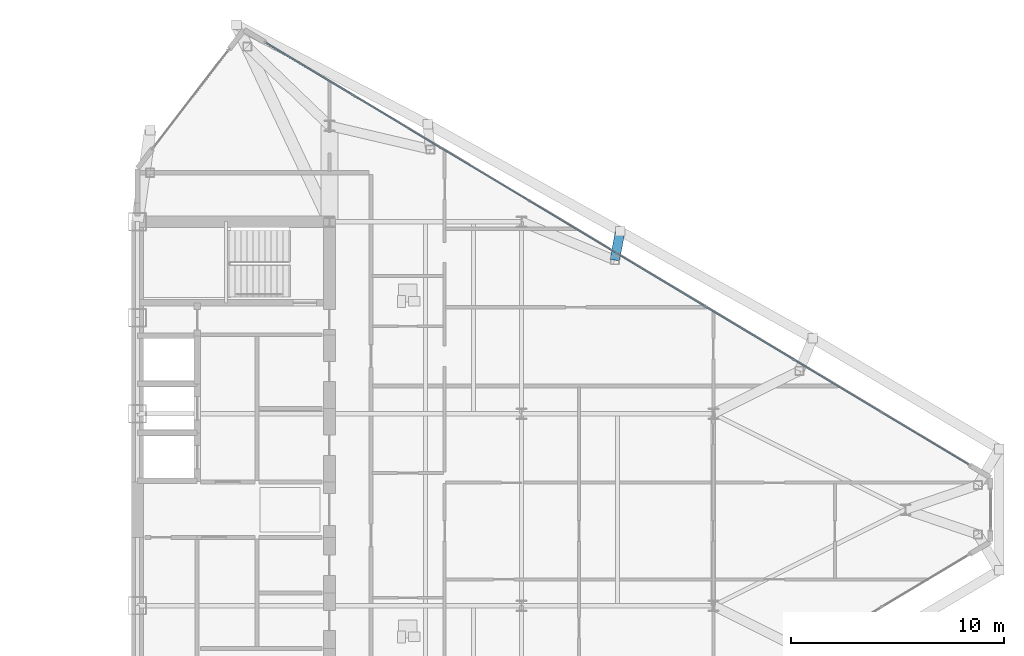
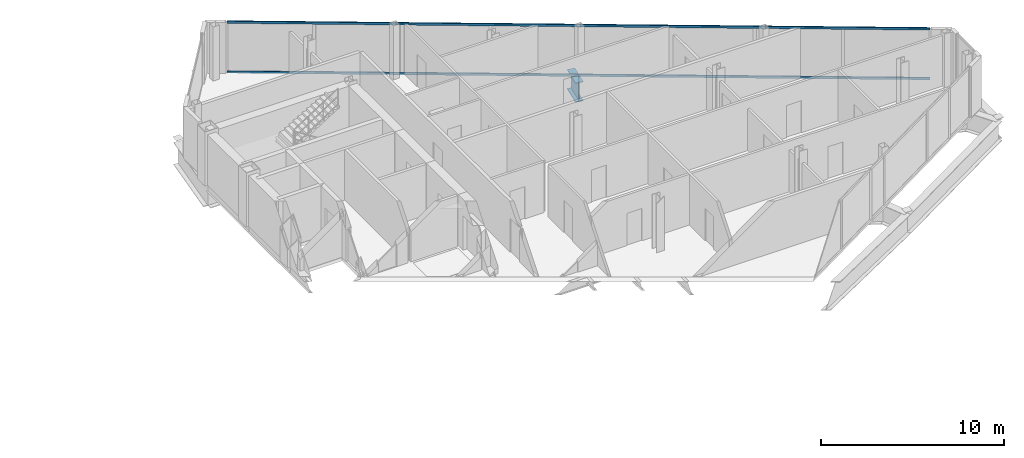
# One storey, part 18 of 29: 2 members, 1 beam, 1 element without a shape of its own.
"""IFC4 building model written with IfcOpenShell, lengths in metres."""

from ifc_helpers import new_model, si_unit, direction, frame, origin, origin_2d, place, context, subcontext, project, spatial, rectangle, i_section, extrude, source, transform, mapped, material, layer, layer_set, material_profile, profile_set, type_object, type_shapes, element, aggregate, save


model = new_model("IFC4")

# Units and contexts
model_context = context("Model", 3, precision=1e-05, world=origin(), true_north=direction((0.0, 1.0)))
body_context = subcontext(model_context, "Body", "Model", "MODEL_VIEW")
ifc_project = project(units=[si_unit("LENGTHUNIT", "METRE"), si_unit("AREAUNIT", "SQUARE_METRE"), si_unit("VOLUMEUNIT", "CUBIC_METRE"), si_unit("PLANEANGLEUNIT", "RADIAN"), si_unit("MASSUNIT", "GRAM", prefix="KILO")], contexts=[model_context])

# Site, building, storey
site_placement = place(None, origin())
site = spatial("IfcSite", under=ifc_project, at=site_placement, CompositionType="ELEMENT")
building_placement = place(site_placement, origin())
building = spatial("IfcBuilding", under=site, at=building_placement, Name="Seokmaru Belvedere", CompositionType="ELEMENT")
storey_placement = place(building_placement, frame((0.0, 0.0, 195.89990234375)))
storey = spatial("IfcBuildingStorey", under=building, at=storey_placement, Name="L52", CompositionType="ELEMENT", Elevation=195.89990234375)

# Beam
ifc_material_1 = material(Name="Steel HSA650 (650 MPa)", Category="steel")
ifc_material_profile_1 = material_profile(ifc_material_1, i_section(OverallWidth=0.449951171875, OverallDepth=1.300048828125, WebThickness=0.02197265625, FlangeThickness=0.0380859375, at=origin_2d()), Name="BH-1300x450x22x38")
ifc_profile_set_1 = profile_set([ifc_material_profile_1], Name="Steel HSA650 (650 MPa)")
beam_type = type_object("IfcBeamType", Name="Observatory Long-Span Roof Girder BH-1300", PredefinedType="BEAM", material=ifc_profile_set_1)
shared_shape_1 = source(origin(), body_context, "Body", "SweptSolid", [
    extrude(i_section(OverallWidth=0.449951171875, OverallDepth=1.300048828125, WebThickness=0.02197265625, FlangeThickness=0.0380859375, at=origin_2d()), origin(), (0.0, 0.0, 1.0), 1.374755859375),
])
type_shapes(beam_type, [shared_shape_1])
beam_placement = place(storey_placement, frame((50.129150390625, 13.051025390625, -0.869873046875), z_axis=(-0.181307058967, -0.983426535319, 0.0), x_axis=(0.983426535319, -0.181307058967, 0.0)))
element("IfcBeam", 1, at=beam_placement, inside=storey, type_object=beam_type, Name="L52 E Flank Setback Step Girder N-2", PredefinedType="BEAM", context=body_context, shape_type="MappedRepresentation", body=[
    mapped(shared_shape_1, transform((0.0, 0.0, 0.0), scale=1.0)),
])

# Curtain wall, members
ifc_material_2 = material(Name="Bronze Triple Insulating Glass", Category="glass")
ifc_layer = layer(ifc_material_2, 0.179931640625)
ifc_layer_set = layer_set([ifc_layer], Name="Bronze Triple Insulating Glass")
curtain_wall_type = type_object("IfcCurtainWallType", Name="High-Rise Wind-Corner Curtain Wall System CW-5", PredefinedType="NOTDEFINED", material=ifc_layer_set)
curtain_wall_placement = place(storey_placement, origin())
curtain_wall = element("IfcCurtainWall", 2, at=curtain_wall_placement, inside=storey, type_object=curtain_wall_type, Name="L52 Curtain Wall EF3", PredefinedType="NOTDEFINED")
ifc_material_3 = material(Name="Anodised Bronze Aluminium", Category="aluminium")
ifc_material_profile_2 = material_profile(ifc_material_3, rectangle(XDim=0.06494140625, YDim=0.14990234375, at=origin_2d()), Name="CW-T-65x150")
ifc_profile_set_2 = profile_set([ifc_material_profile_2], Name="Anodised Bronze Aluminium")
member_type = type_object("IfcMemberType", Name="Bronze Unitised Transom 65x150", PredefinedType="USERDEFINED", material=ifc_profile_set_2)
shared_shape_2 = source(origin(), body_context, "Body", "SweptSolid", [
    extrude(rectangle(XDim=0.06494140625, YDim=0.14990234375, at=origin_2d()), origin(), (0.0, 0.0, 1.0), 38.386962890625),
])
type_shapes(member_type, [shared_shape_2])
member_1_placement = place(storey_placement, frame((66.458251953125, 2.125, 0.03271484375), z_axis=(-0.85749180336, 0.514497626011, 0.0), x_axis=(-0.514497626011, -0.85749180336, 0.0)))
member_1 = element("IfcMember", 3, at=member_1_placement, type_object=member_type, Name="CW:L52:EF3 Continuous Transom 1", ObjectType="TRANSOM", PredefinedType="USERDEFINED", context=body_context, shape_type="MappedRepresentation", body=[
    mapped(shared_shape_2, transform((0.0, 0.0, 0.0), scale=1.0)),
])
member_2_placement = place(storey_placement, frame((66.458251953125, 2.125, 3.34765625), z_axis=(-0.85749180336, 0.514497626011, 0.0), x_axis=(-0.514497626011, -0.85749180336, 0.0)))
member_2 = element("IfcMember", 4, at=member_2_placement, type_object=member_type, Name="CW:L52:EF3 Continuous Transom 2", ObjectType="TRANSOM", PredefinedType="USERDEFINED", context=body_context, shape_type="MappedRepresentation", body=[
    mapped(shared_shape_2, transform((0.0, 0.0, 0.0), scale=1.0)),
])
aggregate(curtain_wall, [member_1, member_2])

save(model, "model.ifc")
